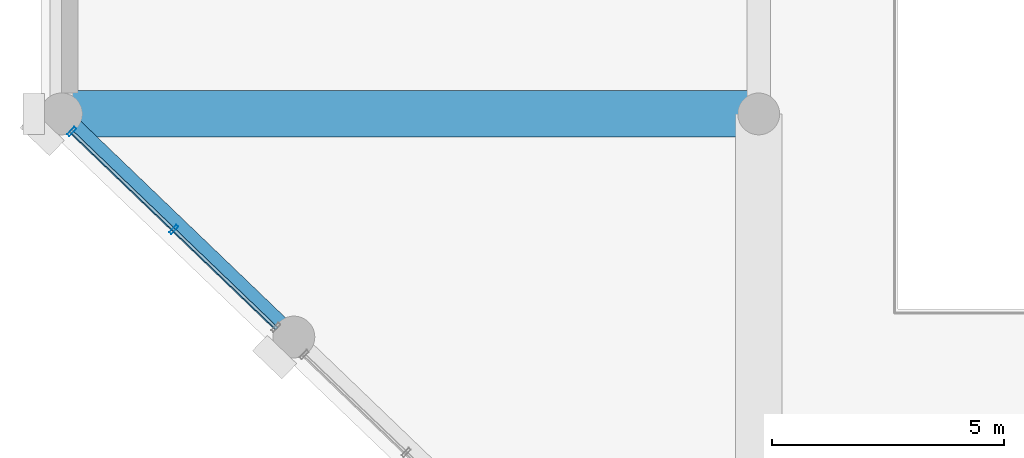
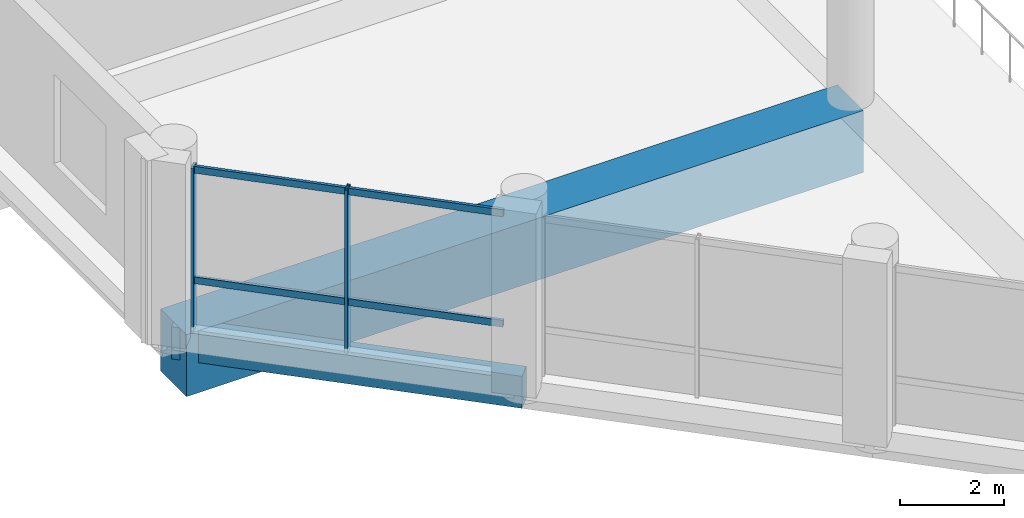
# One storey, part 9 of 68: 4 members, 2 beams, 1 element without a shape of its own.
"""IFC4 building model written with IfcOpenShell, lengths in metres."""

from ifc_helpers import new_model, si_unit, direction, frame, origin, origin_2d, place, context, subcontext, project, spatial, rectangle, hollow_rectangle, extrude, material, material_profile, profile_set, type_object, element, aggregate, save


model = new_model("IFC4")

# Units and contexts
model_context = context("Model", 3, precision=1e-05, world=origin(), true_north=direction((0.0, 1.0)))
body_context = subcontext(model_context, "Body", "Model", "MODEL_VIEW")
ifc_project = project(units=[si_unit("LENGTHUNIT", "METRE"), si_unit("AREAUNIT", "SQUARE_METRE"), si_unit("VOLUMEUNIT", "CUBIC_METRE"), si_unit("PLANEANGLEUNIT", "RADIAN"), si_unit("MASSUNIT", "GRAM", prefix="KILO")], contexts=[model_context])

# Site, building, storey
site_placement = place(None, origin())
site = spatial("IfcSite", under=ifc_project, at=site_placement, CompositionType="ELEMENT")
building_placement = place(site_placement, origin())
building = spatial("IfcBuilding", under=site, at=building_placement, Name="Akrevak Sports Hall", CompositionType="ELEMENT")
storey_placement = place(building_placement, frame((0.0, 0.0, 9.39990234375)))
storey = spatial("IfcBuildingStorey", under=building, at=storey_placement, Name="L02", CompositionType="ELEMENT", Elevation=9.39990234375)

# Curtain wall, members
ifc_material_1 = material(Name="Anodized Bronze Aluminium & Low-E Glass", Category="aluminium")
curtain_wall_type = type_object("IfcCurtainWallType", Name="ARC-CW-POD-64x44", PredefinedType="NOTDEFINED", material=ifc_material_1)
curtain_wall_placement = place(storey_placement, origin())
curtain_wall = element("IfcCurtainWall", 1, at=curtain_wall_placement, inside=storey, type_object=curtain_wall_type, Name="Curtain Wall CW-L02-CH3", PredefinedType="NOTDEFINED")
ifc_material_2 = material(Name="Anodized Bronze Aluminium", Category="aluminium")
ifc_material_profile_1 = material_profile(ifc_material_2, hollow_rectangle(XDim=0.06494140625, YDim=0.219970703125, WallThickness=0.00439453125, at=origin_2d()), Name="CWM 65x220", Category="aluminium")
ifc_profile_set_1 = profile_set([ifc_material_profile_1], Name="Anodized Bronze Aluminium")
member_type_1 = type_object("IfcMemberType", Name="ARC-CWM-70x160", PredefinedType="MULLION", material=ifc_profile_set_1)
member_1_placement = place(storey_placement, frame((2.4169921875, 11.913330078125, 0.0), z_axis=(0.0, 0.0, 1.0), x_axis=(-0.721397723859, 0.692520991747, 0.0)))
member_1 = element("IfcMember", 2, at=member_1_placement, type_object=member_type_1, Name="Curtain Wall Mullion CW-L02-CH3-M2", PredefinedType="MULLION", context=body_context, shape_type="SweptSolid", body=[
    extrude(hollow_rectangle(XDim=0.06494140625, YDim=0.219970703125, WallThickness=0.00439453125, at=origin_2d()), origin(), (0.0, 0.0, 1.0), 3.820068359375),
])
member_2_placement = place(storey_placement, frame((0.2216796875, 14.020751953125, 0.0), z_axis=(0.0, 0.0, 1.0), x_axis=(-0.721397723859, 0.692520991747, 0.0)))
member_2 = element("IfcMember", 3, at=member_2_placement, type_object=member_type_1, Name="Curtain Wall Mullion CW-L02-CH3-M3", PredefinedType="MULLION", context=body_context, shape_type="SweptSolid", body=[
    extrude(hollow_rectangle(XDim=0.06494140625, YDim=0.219970703125, WallThickness=0.00439453125, at=origin_2d()), origin(), (0.0, 0.0, 1.0), 3.820068359375),
])
ifc_material_profile_2 = material_profile(ifc_material_2, hollow_rectangle(XDim=0.06494140625, YDim=0.159912109375, WallThickness=0.00390625, at=origin_2d()), Name="CWT 65x160", Category="aluminium")
ifc_profile_set_2 = profile_set([ifc_material_profile_2], Name="Anodized Bronze Aluminium")
member_type_2 = type_object("IfcMemberType", Name="ARC-CWT-70x130", PredefinedType="USERDEFINED", material=ifc_profile_set_2)
member_3_placement = place(storey_placement, frame((4.64111328125, 9.7783203125, 1.150146484375), z_axis=(-0.72139127706, 0.692527707303, 0.0), x_axis=(-0.692527707303, -0.72139127706, 0.0)))
member_3 = element("IfcMember", 4, at=member_3_placement, type_object=member_type_2, Name="Curtain Wall Transom CW-L02-CH3-T1", ObjectType="TRANSOM", PredefinedType="USERDEFINED", context=body_context, shape_type="SweptSolid", body=[
    extrude(hollow_rectangle(XDim=0.06494140625, YDim=0.159912109375, WallThickness=0.00390625, at=origin_2d()), origin(), (0.0, 0.0, 1.0), 6.166259765625),
])
member_4_placement = place(storey_placement, frame((4.64111328125, 9.7783203125, 3.739990234375), z_axis=(-0.72139127706, 0.692527707303, 0.0), x_axis=(-0.692527707303, -0.72139127706, 0.0)))
member_4 = element("IfcMember", 5, at=member_4_placement, type_object=member_type_2, Name="Curtain Wall Transom CW-L02-CH3-T2", ObjectType="TRANSOM", PredefinedType="USERDEFINED", context=body_context, shape_type="SweptSolid", body=[
    extrude(hollow_rectangle(XDim=0.06494140625, YDim=0.159912109375, WallThickness=0.00390625, at=origin_2d()), origin(), (0.0, 0.0, 1.0), 6.166259765625),
])
aggregate(curtain_wall, [member_1, member_2, member_3, member_4])

# Beams
ifc_material_3 = material(Name="Concrete C50/60", Category="concrete")
ifc_material_profile_3 = material_profile(ifc_material_3, rectangle(XDim=1.0, YDim=1.449951171875, at=origin_2d()), Name="BM 1000x1450", Category="concrete")
ifc_profile_set_3 = profile_set([ifc_material_profile_3], Name="Concrete C50/60")
beam_type_1 = type_object("IfcBeamType", Name="STR-BM-LG1000x1450", PredefinedType="BEAM", material=ifc_profile_set_3)
beam_1_placement = place(storey_placement, frame((0.0, 14.39990234375, -0.724853515625), z_axis=(1.0, 0.0, 0.0), x_axis=(0.0, 1.0, 0.0)))
element("IfcBeam", 6, at=beam_1_placement, inside=storey, type_object=beam_type_1, Name="Girder C/1-3 (L02)", PredefinedType="BEAM", context=body_context, shape_type="SweptSolid", body=[
    extrude(rectangle(XDim=1.0, YDim=1.449951171875, at=origin_2d()), origin(), (0.0, 0.0, 1.0), 15.0),
])
ifc_material_4 = material(Name="Concrete C40/50", Category="concrete")
ifc_material_profile_4 = material_profile(ifc_material_4, rectangle(XDim=0.35009765625, YDim=0.75, at=origin_2d()), Name="SPD 350x750", Category="concrete")
ifc_profile_set_4 = profile_set([ifc_material_profile_4], Name="Concrete C40/50")
beam_type_2 = type_object("IfcBeamType", Name="STR-SPD-RC350x750", PredefinedType="SPANDREL", material=ifc_profile_set_4)
beam_2_placement = place(storey_placement, frame((5.0, 9.60009765625, -0.375), z_axis=(-0.721401399021, 0.692517163318, 0.0), x_axis=(-0.692517163318, -0.721401399021, 0.0)))
element("IfcBeam", 7, at=beam_2_placement, inside=storey, type_object=beam_type_2, Name="Chamfer Colonnade Spandrel Girder 3 (L02)", PredefinedType="SPANDREL", context=body_context, shape_type="SweptSolid", body=[
    extrude(rectangle(XDim=0.35009765625, YDim=0.75, at=origin_2d()), origin(), (0.0, 0.0, 1.0), 6.930908203125),
])

save(model, "model.ifc")
